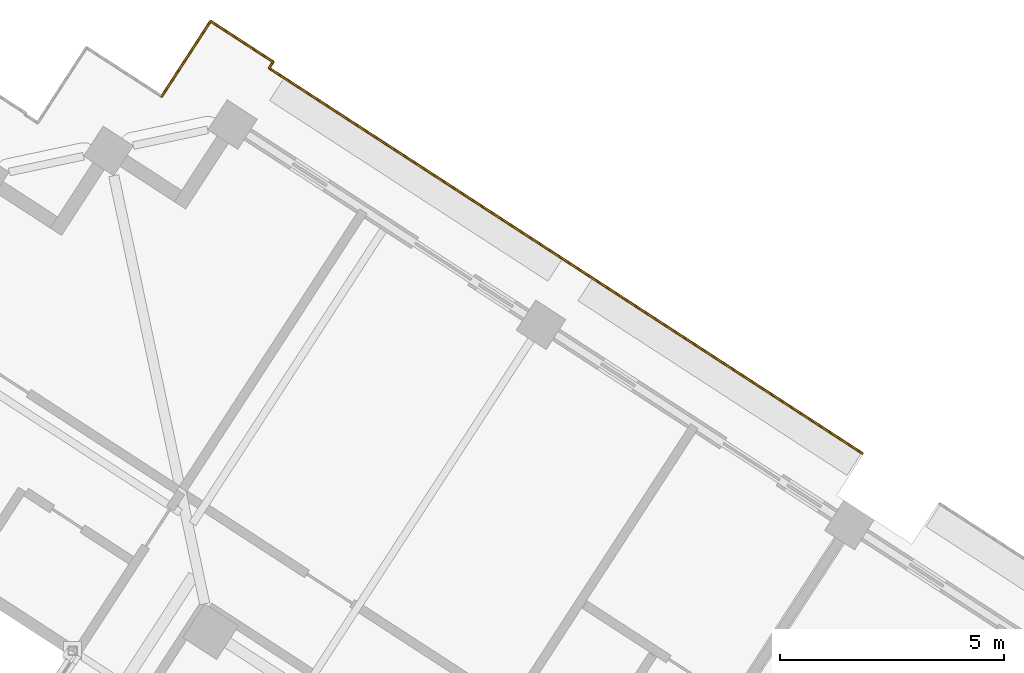
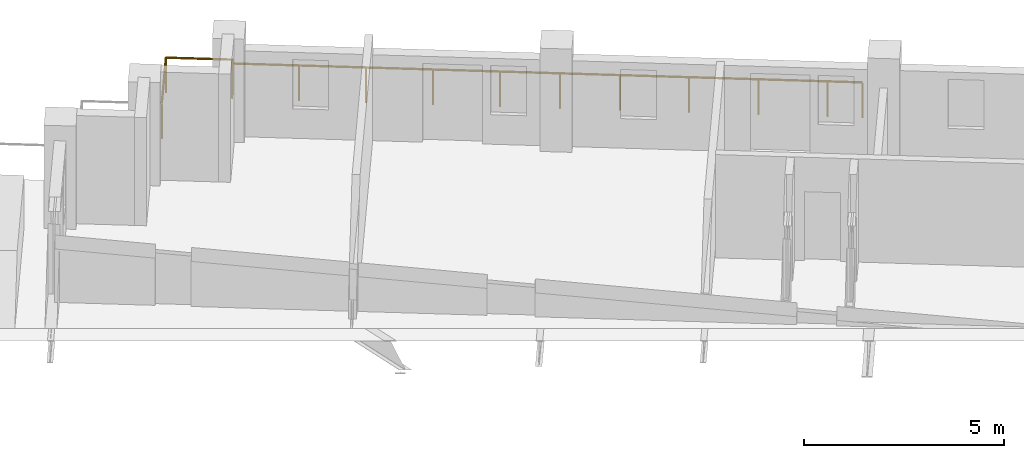
# One storey, part 16 of 17: 1 railing.
"""IFC4 building model written with IfcOpenShell, lengths in metres."""

from ifc_helpers import new_model, si_unit, direction, frame, origin, origin_2d, place, context, subcontext, project, spatial, circle, extrude, material, type_object, element, save


model = new_model("IFC4")

# Units and contexts
model_context = context("Model", 3, precision=1e-05, world=origin(), true_north=direction((0.0, 1.0)))
body_context = subcontext(model_context, "Body", "Model", "MODEL_VIEW")
ifc_project = project(units=[si_unit("LENGTHUNIT", "METRE"), si_unit("AREAUNIT", "SQUARE_METRE"), si_unit("VOLUMEUNIT", "CUBIC_METRE"), si_unit("PLANEANGLEUNIT", "RADIAN"), si_unit("MASSUNIT", "GRAM", prefix="KILO")], contexts=[model_context])

# Site, building, storey
site_placement = place(None, origin())
site = spatial("IfcSite", under=ifc_project, at=site_placement, CompositionType="ELEMENT")
building_placement = place(site_placement, origin())
building = spatial("IfcBuilding", under=site, at=building_placement, Name="Cantera Rosa Tower", CompositionType="ELEMENT")
storey_placement = place(building_placement, frame((0.0, 0.0, 286.5)))
storey = spatial("IfcBuildingStorey", under=building, at=storey_placement, Name="L65", CompositionType="ELEMENT", Elevation=286.5)

# Railing
ifc_material = material(Name="Stainless steel and laminated glass", Category="steel")
railing_type = type_object("IfcRailingType", Name="GUARD 1100", PredefinedType="BALUSTRADE", material=ifc_material)
railing_placement = place(storey_placement, frame((-2.561767578125, 29.2275390625, 0.0)))
element("IfcRailing", 1, at=railing_placement, inside=storey, type_object=railing_type, Name="GUARD L65-5", PredefinedType="BALUSTRADE", context=body_context, shape_type="SweptSolid", body=[
    extrude(circle(Radius=0.030029296875, at=origin_2d()), frame((0.0, 0.0, 1.070068359375), z_axis=(0.54460209718, 0.8386945545, 0.0), x_axis=(-0.8386945545, 0.54460209718, 0.0)), (0.0, 0.0, 1.0), 1.999755859375),
    extrude(circle(Radius=0.030029296875, at=origin_2d()), frame((1.089111328125, 1.67724609375, 1.070068359375), z_axis=(0.838747978063, -0.544519815338, 0.0), x_axis=(0.544519815338, 0.838747978063, 0.0)), (0.0, 0.0, 1.0), 1.6669921875),
    extrude(circle(Radius=0.030029296875, at=origin_2d()), frame((2.4873046875, 0.76953125, 1.070068359375), z_axis=(-0.544885652698, -0.838510360988, 0.0), x_axis=(0.838510360988, -0.544885652698, 0.0)), (0.0, 0.0, 1.0), 0.167236328125),
    extrude(circle(Radius=0.030029296875, at=origin_2d()), frame((2.396240234375, 0.62939453125, 1.070068359375), z_axis=(0.838666659313, -0.544645053734, 0.0), x_axis=(0.544645053734, 0.838666659313, 0.0)), (0.0, 0.0, 1.0), 6.7001953125),
    extrude(circle(Radius=0.030029296875, at=origin_2d()), frame((8.015380859375, -3.019775390625, 1.070068359375), z_axis=(0.8387001057, -0.544593548161, 0.0), x_axis=(0.544593548161, 0.8387001057, 0.0)), (0.0, 0.0, 1.0), 3.0),
    extrude(circle(Radius=0.030029296875, at=origin_2d()), frame((10.531494140625, -4.653564453125, 1.070068359375), z_axis=(0.838657010828, -0.544659910576, 0.0), x_axis=(0.544659910576, 0.838657010828, 0.0)), (0.0, 0.0, 1.0), 5.2001953125),
    extrude(circle(Radius=0.030029296875, at=origin_2d()), frame((14.892578125, -7.48583984375, 1.070068359375), z_axis=(0.838725681888, -0.544554157584, 0.0), x_axis=(0.544554157584, 0.838725681888, 0.0)), (0.0, 0.0, 1.0), 0.869873046875),
    extrude(circle(Radius=0.02490234375, at=origin_2d()), origin(), (0.0, 0.0, 1.0), 1.0400390625),
    extrude(circle(Radius=0.02490234375, at=origin_2d()), frame((1.089111328125, 1.67724609375, 0.0)), (0.0, 0.0, 1.0), 1.0400390625),
    extrude(circle(Radius=0.02490234375, at=origin_2d()), frame((2.4873046875, 0.76953125, 0.0)), (0.0, 0.0, 1.0), 1.0400390625),
    extrude(circle(Radius=0.02490234375, at=origin_2d()), frame((2.396240234375, 0.62939453125, 0.0)), (0.0, 0.0, 1.0), 1.0400390625),
    extrude(circle(Radius=0.02490234375, at=origin_2d()), frame((3.801025390625, -0.282958984375, 0.0)), (0.0, 0.0, 1.0), 1.0400390625),
    extrude(circle(Radius=0.02490234375, at=origin_2d()), frame((5.205810546875, -1.1953125, 0.0)), (0.0, 0.0, 1.0), 1.0400390625),
    extrude(circle(Radius=0.02490234375, at=origin_2d()), frame((6.610595703125, -2.107421875, 0.0)), (0.0, 0.0, 1.0), 1.0400390625),
    extrude(circle(Radius=0.02490234375, at=origin_2d()), frame((8.015380859375, -3.019775390625, 0.0)), (0.0, 0.0, 1.0), 1.0400390625),
    extrude(circle(Radius=0.02490234375, at=origin_2d()), frame((9.2734375, -3.836669921875, 0.0)), (0.0, 0.0, 1.0), 1.0400390625),
    extrude(circle(Radius=0.02490234375, at=origin_2d()), frame((10.531494140625, -4.653564453125, 0.0)), (0.0, 0.0, 1.0), 1.0400390625),
    extrude(circle(Radius=0.02490234375, at=origin_2d()), frame((11.985107421875, -5.59765625, 0.0)), (0.0, 0.0, 1.0), 1.0400390625),
    extrude(circle(Radius=0.02490234375, at=origin_2d()), frame((13.43896484375, -6.541748046875, 0.0)), (0.0, 0.0, 1.0), 1.0400390625),
    extrude(circle(Radius=0.02490234375, at=origin_2d()), frame((14.892578125, -7.48583984375, 0.0)), (0.0, 0.0, 1.0), 1.0400390625),
    extrude(circle(Radius=0.02490234375, at=origin_2d()), frame((15.6220703125, -7.95947265625, 0.0)), (0.0, 0.0, 1.0), 1.0400390625),
])

save(model, "model.ifc")
